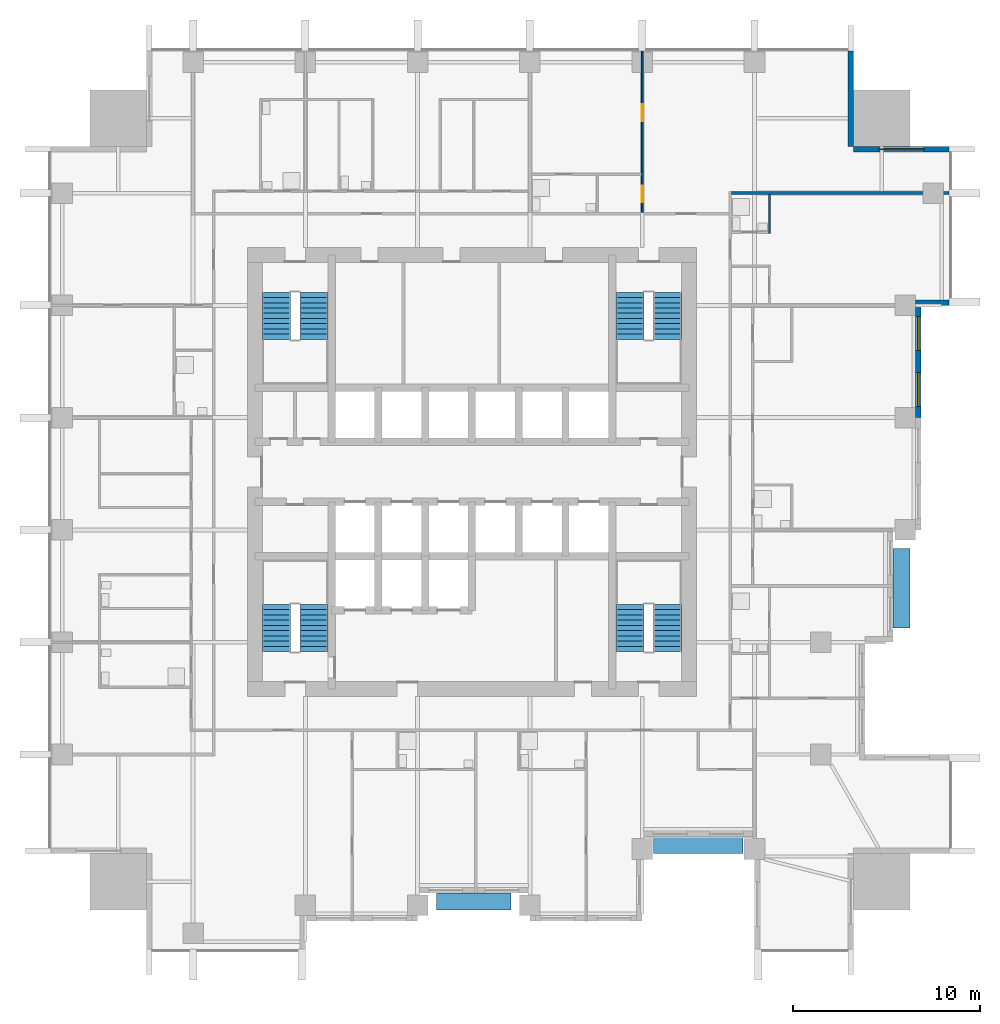
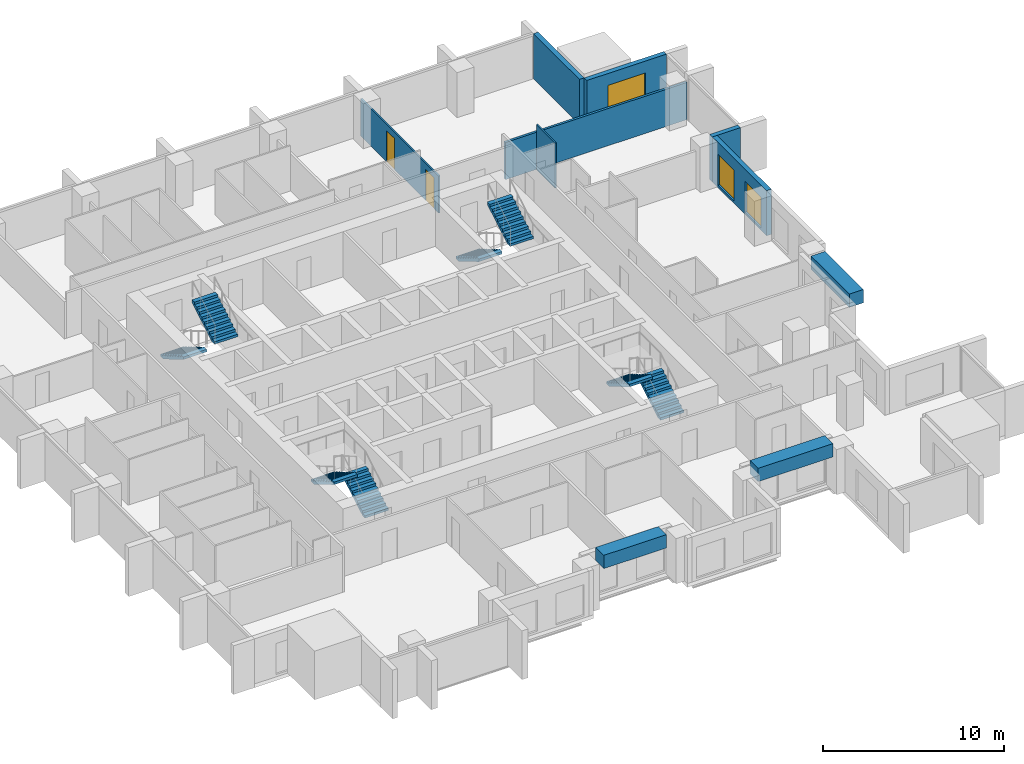
# One storey, part 8 of 10: 8 stair flights, 7 walls, 3 discrete accessories, 3 windows, 2 doors, 5 openings, 4 elements without a shape of their own.
"""IFC4 building model written with IfcOpenShell, lengths in metres."""

from ifc_helpers import new_model, si_unit, direction, frame, frame_2d, origin, origin_2d, place, context, subcontext, project, spatial, polyline, rectangle, outline, extrude, material, layer, layer_set, type_object, element, fill, aggregate, save


model = new_model("IFC4")

# Units and contexts
model_context = context("Model", 3, precision=1e-05, world=origin(), true_north=direction((0.0, 1.0)))
body_context = subcontext(model_context, "Body", "Model", "MODEL_VIEW")
ifc_project = project(units=[si_unit("LENGTHUNIT", "METRE"), si_unit("AREAUNIT", "SQUARE_METRE"), si_unit("VOLUMEUNIT", "CUBIC_METRE"), si_unit("PLANEANGLEUNIT", "RADIAN"), si_unit("MASSUNIT", "GRAM", prefix="KILO")], contexts=[model_context])

# Site, building, storey
site_placement = place(None, origin())
site = spatial("IfcSite", under=ifc_project, at=site_placement, CompositionType="ELEMENT")
building_placement = place(site_placement, origin())
building = spatial("IfcBuilding", under=site, at=building_placement, Name="Amberfall Residences", CompositionType="ELEMENT")
storey_placement = place(building_placement, frame((0.0, 0.0, 118.300048828125)))
storey = spatial("IfcBuildingStorey", under=building, at=storey_placement, Name="L32", CompositionType="ELEMENT", Elevation=118.300048828125)

# Wall
ifc_material_1 = material(Name="Pale stone cladding on insulated backing", Category="masonry")
ifc_layer_1 = layer(ifc_material_1, 0.300048828125)
ifc_layer_set_1 = layer_set([ifc_layer_1], Name="Bronze clad wall 300")
wall_type_1 = type_object("IfcWallType", Name="Bronze clad wall 300", PredefinedType="SOLIDWALL", material=ifc_layer_set_1)
wall_1_placement = place(storey_placement, frame((98.199951171875, 54.550048828125, 0.0), z_axis=(0.0, 0.0, 1.0), x_axis=(1.0, 0.0, 0.0)))
element("IfcWall", 1, at=wall_1_placement, inside=storey, type_object=wall_type_1, Name="External wall L32 E", PredefinedType="SOLIDWALL", context=body_context, shape_type="SweptSolid", body=[
    extrude(rectangle(XDim=1.800048828125, YDim=0.300048828125, at=frame_2d((0.89990234375, 0.0))), origin(), (0.0, 0.0, 1.0), 3.050048828125),
])

# Wall, opening, window
wall_2_placement = place(storey_placement, frame((100.0, 62.75, 0.0), z_axis=(0.0, 0.0, 1.0), x_axis=(-1.0, 0.0, 0.0)))
wall_2 = element("IfcWall", 2, at=wall_2_placement, inside=storey, type_object=wall_type_1, Name="External wall L32 NE", PredefinedType="SOLIDWALL", context=body_context, shape_type="SweptSolid", body=[
    extrude(rectangle(XDim=5.10009765625, YDim=0.300048828125, at=frame_2d((2.550048828125, 0.0))), origin(), (0.0, 0.0, 1.0), 3.050048828125),
])
opening_1_placement = place(wall_2_placement, frame((1.35009765625, 0.0, 0.14990234375)))
opening_1 = element("IfcOpeningElement", 3, at=opening_1_placement, cuts=wall_2, Name="Opening WN5", PredefinedType="OPENING", context=body_context, shape_type="SweptSolid", body=[
    extrude(rectangle(XDim=2.39990234375, YDim=2.10009765625, at=frame_2d((1.199951171875, 1.050048828125))), frame((0.0, 0.159912109375, 0.0), z_axis=(0.0, -1.0, 0.0), x_axis=(1.0, 0.0, 0.0)), (0.0, 0.0, 1.0), 0.320068359375),
])
ifc_material_2 = material(Name="Bronze aluminium framed glazing", Category="aluminium")
window_type_1 = type_object("IfcWindowType", Name="Glazed opening 2400 x 2100 bronze", PartitioningType="DOUBLE_PANEL_VERTICAL", PredefinedType="WINDOW", material=ifc_material_2)
window_1_placement = place(opening_1_placement, origin())
window_1 = element("IfcWindow", 4, at=window_1_placement, inside=storey, type_object=window_type_1, Name="Window L32 NE", OverallHeight=2.10009765625, OverallWidth=2.39990234375, PartitioningType="DOUBLE_PANEL_VERTICAL", PredefinedType="WINDOW", context=body_context, shape_type="SweptSolid", body=[
    extrude(rectangle(XDim=2.39990234375, YDim=2.10009765625, at=frame_2d((1.199951171875, 1.050048828125))), frame((0.0, 0.030029296875, 0.0), z_axis=(0.0, -1.0, 0.0), x_axis=(1.0, 0.0, 0.0)), (0.0, 0.0, 1.0), 0.06005859375),
])
fill(opening_1, window_1)

# Wall
wall_3_placement = place(storey_placement, frame((94.75, 62.89990234375, 0.0), z_axis=(0.0, 0.0, 1.0), x_axis=(0.0, 1.0, 0.0)))
element("IfcWall", 5, at=wall_3_placement, inside=storey, type_object=wall_type_1, Name="External wall L32 NE", PredefinedType="SOLIDWALL", context=body_context, shape_type="SweptSolid", body=[
    extrude(rectangle(XDim=5.10009765625, YDim=0.300048828125, at=frame_2d((2.550048828125, 0.0))), origin(), (0.0, 0.0, 1.0), 3.050048828125),
])

# Wall, openings, windows
wall_4_placement = place(storey_placement, frame((98.35009765625, 48.39990234375, 0.0), z_axis=(0.0, 0.0, 1.0), x_axis=(0.0, 1.0, 0.0)))
wall_4 = element("IfcWall", 6, at=wall_4_placement, inside=storey, type_object=wall_type_1, Name="Stone wall L32 E", PredefinedType="SOLIDWALL", context=body_context, shape_type="SweptSolid", body=[
    extrude(rectangle(XDim=6.0, YDim=0.300048828125, at=frame_2d((3.0, 0.0))), origin(), (0.0, 0.0, 1.0), 3.050048828125),
])
opening_2_placement = place(wall_4_placement, frame((0.60009765625, 0.0, 0.14990234375)))
opening_2 = element("IfcOpeningElement", 7, at=opening_2_placement, cuts=wall_4, Name="Opening WN6", PredefinedType="OPENING", context=body_context, shape_type="SweptSolid", body=[
    extrude(rectangle(XDim=1.800048828125, YDim=2.10009765625, at=frame_2d((0.89990234375, 1.050048828125))), frame((0.0, 0.159912109375, 0.0), z_axis=(0.0, -1.0, 0.0), x_axis=(1.0, 0.0, 0.0)), (0.0, 0.0, 1.0), 0.320068359375),
])
opening_3_placement = place(wall_4_placement, frame((3.60009765625, 0.0, 0.14990234375)))
opening_3 = element("IfcOpeningElement", 8, at=opening_3_placement, cuts=wall_4, Name="Opening WN6", PredefinedType="OPENING", context=body_context, shape_type="SweptSolid", body=[
    extrude(rectangle(XDim=1.800048828125, YDim=2.10009765625, at=frame_2d((0.89990234375, 1.050048828125))), frame((0.0, 0.159912109375, 0.0), z_axis=(0.0, -1.0, 0.0), x_axis=(1.0, 0.0, 0.0)), (0.0, 0.0, 1.0), 0.320068359375),
])
window_type_2 = type_object("IfcWindowType", Name="Glazed opening 1800 x 2100 bronze", PartitioningType="DOUBLE_PANEL_VERTICAL", PredefinedType="WINDOW", material=ifc_material_2)
window_2_placement = place(opening_2_placement, origin())
window_2 = element("IfcWindow", 9, at=window_2_placement, inside=storey, type_object=window_type_2, Name="Window L32 E", OverallHeight=2.10009765625, OverallWidth=1.800048828125, PartitioningType="DOUBLE_PANEL_VERTICAL", PredefinedType="WINDOW", context=body_context, shape_type="SweptSolid", body=[
    extrude(rectangle(XDim=1.800048828125, YDim=2.10009765625, at=frame_2d((0.89990234375, 1.050048828125))), frame((0.0, 0.030029296875, 0.0), z_axis=(0.0, -1.0, 0.0), x_axis=(1.0, 0.0, 0.0)), (0.0, 0.0, 1.0), 0.06005859375),
])
fill(opening_2, window_2)
window_3_placement = place(opening_3_placement, origin())
window_3 = element("IfcWindow", 10, at=window_3_placement, inside=storey, type_object=window_type_2, Name="Window L32 E", OverallHeight=2.10009765625, OverallWidth=1.800048828125, PartitioningType="DOUBLE_PANEL_VERTICAL", PredefinedType="WINDOW", context=body_context, shape_type="SweptSolid", body=[
    extrude(rectangle(XDim=1.800048828125, YDim=2.10009765625, at=frame_2d((0.89990234375, 1.050048828125))), frame((0.0, 0.030029296875, 0.0), z_axis=(0.0, -1.0, 0.0), x_axis=(1.0, 0.0, 0.0)), (0.0, 0.0, 1.0), 0.06005859375),
])
fill(opening_3, window_3)

# Wall, openings, doors
ifc_material_3 = material(Name="Gypsum board on metal stud")
ifc_layer_2 = layer(ifc_material_3, 0.10009765625)
ifc_layer_set_2 = layer_set([ifc_layer_2], Name="Flat partition 100")
wall_type_2 = type_object("IfcWallType", Name="Flat partition 100", PredefinedType="PARTITIONING", material=ifc_layer_set_2)
wall_5_placement = place(storey_placement, frame((83.60009765625, 59.375, 0.0), z_axis=(0.0, 0.0, 1.0), x_axis=(0.0, 1.0, 0.0)))
wall_5 = element("IfcWall", 11, at=wall_5_placement, inside=storey, type_object=wall_type_2, Name="Partition 017", PredefinedType="PARTITIONING", context=body_context, shape_type="SweptSolid", body=[
    extrude(rectangle(XDim=8.625, YDim=0.10009765625, at=frame_2d((4.3125, 0.0))), origin(), (0.0, 0.0, 1.0), 2.515869140625),
])
opening_4_placement = place(wall_5_placement, frame((0.52490234375, 0.0, 0.0)))
opening_4 = element("IfcOpeningElement", 12, at=opening_4_placement, cuts=wall_5, Name="Opening D41", PredefinedType="OPENING", context=body_context, shape_type="SweptSolid", body=[
    extrude(rectangle(XDim=0.89990234375, YDim=2.10009765625, at=frame_2d((0.449951171875, 1.050048828125))), frame((0.0, 0.06005859375, 0.0), z_axis=(0.0, -1.0, 0.0), x_axis=(1.0, 0.0, 0.0)), (0.0, 0.0, 1.0), 0.1201171875),
])
opening_5_placement = place(wall_5_placement, frame((4.875, 0.0, 0.0)))
opening_5 = element("IfcOpeningElement", 13, at=opening_5_placement, cuts=wall_5, Name="Opening D41", PredefinedType="OPENING", context=body_context, shape_type="SweptSolid", body=[
    extrude(rectangle(XDim=0.89990234375, YDim=2.10009765625, at=frame_2d((0.449951171875, 1.050048828125))), frame((0.0, 0.06005859375, 0.0), z_axis=(0.0, -1.0, 0.0), x_axis=(1.0, 0.0, 0.0)), (0.0, 0.0, 1.0), 0.1201171875),
])
ifc_material_4 = material(Name="Timber", Category="wood")
door_type = type_object("IfcDoorType", Name="Internal door 900 x 2100", OperationType="SINGLE_SWING_LEFT", PredefinedType="DOOR", material=ifc_material_4)
door_1_placement = place(opening_4_placement, origin())
door_1 = element("IfcDoor", 14, at=door_1_placement, inside=storey, type_object=door_type, Name="Door 3207 kitchen", OperationType="SINGLE_SWING_LEFT", OverallHeight=2.10009765625, OverallWidth=0.89990234375, PredefinedType="DOOR", context=body_context, shape_type="SweptSolid", body=[
    extrude(rectangle(XDim=0.89990234375, YDim=2.10009765625, at=frame_2d((0.449951171875, 1.050048828125))), frame((0.0, 0.02490234375, 0.0), z_axis=(0.0, -1.0, 0.0), x_axis=(1.0, 0.0, 0.0)), (0.0, 0.0, 1.0), 0.050048828125),
])
fill(opening_4, door_1)
door_2_placement = place(opening_5_placement, origin())
door_2 = element("IfcDoor", 15, at=door_2_placement, inside=storey, type_object=door_type, Name="Door 3207 bedroom1", OperationType="SINGLE_SWING_LEFT", OverallHeight=2.10009765625, OverallWidth=0.89990234375, PredefinedType="DOOR", context=body_context, shape_type="SweptSolid", body=[
    extrude(rectangle(XDim=0.89990234375, YDim=2.10009765625, at=frame_2d((0.449951171875, 1.050048828125))), frame((0.0, 0.02490234375, 0.0), z_axis=(0.0, -1.0, 0.0), x_axis=(1.0, 0.0, 0.0)), (0.0, 0.0, 1.0), 0.050048828125),
])
fill(opening_5, door_2)

# Walls
wall_6_placement = place(storey_placement, frame((90.39990234375, 58.25, 0.0), z_axis=(0.0, 0.0, 1.0), x_axis=(0.0, 1.0, 0.0)))
element("IfcWall", 16, at=wall_6_placement, inside=storey, type_object=wall_type_2, Name="Partition 022", PredefinedType="PARTITIONING", context=body_context, shape_type="SweptSolid", body=[
    extrude(rectangle(XDim=2.074951171875, YDim=0.10009765625, at=frame_2d((1.03759765625, 0.0))), origin(), (0.0, 0.0, 1.0), 3.050048828125),
])
ifc_material_5 = material(Name="Blockwork, plastered", Category="masonry")
ifc_layer_3 = layer(ifc_material_5, 0.14990234375)
ifc_layer_set_3 = layer_set([ifc_layer_3], Name="Flat separating wall 150")
wall_type_3 = type_object("IfcWallType", Name="Flat separating wall 150", PredefinedType="PARTITIONING", material=ifc_layer_set_3)
wall_7_placement = place(storey_placement, frame((88.375, 60.39990234375, 0.0), z_axis=(0.0, 0.0, 1.0), x_axis=(1.0, 0.0, 0.0)))
element("IfcWall", 17, at=wall_7_placement, inside=storey, type_object=wall_type_3, Name="Separating wall 054", PredefinedType="PARTITIONING", context=body_context, shape_type="SweptSolid", body=[
    extrude(rectangle(XDim=11.625, YDim=0.14990234375, at=frame_2d((5.8125, 0.0))), origin(), (0.0, 0.0, 1.0), 2.515869140625),
])

# Stair, stair flights
ifc_material_6 = material(Name="Concrete C40", Category="concrete")
stair_type = type_object("IfcStairType", Name="Exit stair 20 risers 165.0 mm", PredefinedType="HALF_TURN_STAIR", material=ifc_material_6)
stair_1_placement = place(storey_placement, origin())
stair_1 = element("IfcStair", 18, at=stair_1_placement, inside=storey, type_object=stair_type, Name="L32 Exit stair 1", PredefinedType="HALF_TURN_STAIR")
stair_flight_type = type_object("IfcStairFlightType", Name="Stair flight 10 risers 165.0 mm", PredefinedType="STRAIGHT", material=ifc_material_6)
stair_flight_1_placement = place(storey_placement, frame((66.050048828125, 35.89990234375, 0.0), z_axis=(0.0, 0.0, 1.0), x_axis=(0.0, 1.0, 0.0)))
stair_flight_1 = element("IfcStairFlight", 19, at=stair_flight_1_placement, type_object=stair_flight_type, Name="ST3 flight 1", NumberOfRisers=10, NumberOfTreads=9, PredefinedType="STRAIGHT", RiserHeight=0.165, TreadLength=0.28, context=body_context, shape_type="SweptSolid", body=[
    extrude(outline(polyline([(0.0, 0.0), (0.0, 0.1650390625), (0.280029296875, 0.1650390625), (0.280029296875, 0.330078125), (0.56005859375, 0.330078125), (0.56005859375, 0.4951171875), (0.840087890625, 0.4951171875), (0.840087890625, 0.659912109375), (1.1201171875, 0.659912109375), (1.1201171875, 0.824951171875), (1.39990234375, 0.824951171875), (1.39990234375, 0.989990234375), (1.679931640625, 0.989990234375), (1.679931640625, 1.155029296875), (1.9599609375, 1.155029296875), (1.9599609375, 1.320068359375), (2.239990234375, 1.320068359375), (2.239990234375, 1.485107421875), (2.52001953125, 1.485107421875), (2.52001953125, 1.64990234375), (2.52001953125, 1.31103515625), (0.295166015625, 0.0), (0.0, 0.0)])), frame((0.0, 0.75, 0.0), z_axis=(0.0, -1.0, 0.0), x_axis=(1.0, 0.0, 0.0)), (0.0, 0.0, 1.0), 1.5),
])
stair_flight_2_placement = place(storey_placement, frame((64.050048828125, 38.419921875, 1.64990234375), z_axis=(0.0, 0.0, 1.0), x_axis=(0.0, -1.0, 0.0)))
stair_flight_2 = element("IfcStairFlight", 20, at=stair_flight_2_placement, type_object=stair_flight_type, Name="ST3 flight 2", NumberOfRisers=10, NumberOfTreads=9, PredefinedType="STRAIGHT", RiserHeight=0.165, TreadLength=0.28, context=body_context, shape_type="SweptSolid", body=[
    extrude(outline(polyline([(0.0, 0.0), (0.0, 0.1650390625), (0.280029296875, 0.1650390625), (0.280029296875, 0.330078125), (0.56005859375, 0.330078125), (0.56005859375, 0.4951171875), (0.840087890625, 0.4951171875), (0.840087890625, 0.659912109375), (1.1201171875, 0.659912109375), (1.1201171875, 0.824951171875), (1.39990234375, 0.824951171875), (1.39990234375, 0.989990234375), (1.679931640625, 0.989990234375), (1.679931640625, 1.155029296875), (1.9599609375, 1.155029296875), (1.9599609375, 1.320068359375), (2.239990234375, 1.320068359375), (2.239990234375, 1.485107421875), (2.52001953125, 1.485107421875), (2.52001953125, 1.64990234375), (2.52001953125, 1.31103515625), (0.295166015625, 0.0), (0.0, 0.0)])), frame((0.0, 0.75, 0.0), z_axis=(0.0, -1.0, 0.0), x_axis=(1.0, 0.0, 0.0)), (0.0, 0.0, 1.0), 1.5),
])
aggregate(stair_1, [stair_flight_1, stair_flight_2])

stair_2_placement = place(storey_placement, origin())
stair_2 = element("IfcStair", 21, at=stair_2_placement, inside=storey, type_object=stair_type, Name="L32 Exit stair 2", PredefinedType="HALF_TURN_STAIR")
stair_flight_3_placement = place(storey_placement, frame((84.949951171875, 35.89990234375, 0.0), z_axis=(0.0, 0.0, 1.0), x_axis=(0.0, 1.0, 0.0)))
stair_flight_3 = element("IfcStairFlight", 22, at=stair_flight_3_placement, type_object=stair_flight_type, Name="ST3 flight 1", NumberOfRisers=10, NumberOfTreads=9, PredefinedType="STRAIGHT", RiserHeight=0.165, TreadLength=0.28, context=body_context, shape_type="SweptSolid", body=[
    extrude(outline(polyline([(0.0, 0.0), (0.0, 0.1650390625), (0.280029296875, 0.1650390625), (0.280029296875, 0.330078125), (0.56005859375, 0.330078125), (0.56005859375, 0.4951171875), (0.840087890625, 0.4951171875), (0.840087890625, 0.659912109375), (1.1201171875, 0.659912109375), (1.1201171875, 0.824951171875), (1.39990234375, 0.824951171875), (1.39990234375, 0.989990234375), (1.679931640625, 0.989990234375), (1.679931640625, 1.155029296875), (1.9599609375, 1.155029296875), (1.9599609375, 1.320068359375), (2.239990234375, 1.320068359375), (2.239990234375, 1.485107421875), (2.52001953125, 1.485107421875), (2.52001953125, 1.64990234375), (2.52001953125, 1.31103515625), (0.295166015625, 0.0), (0.0, 0.0)])), frame((0.0, 0.75, 0.0), z_axis=(0.0, -1.0, 0.0), x_axis=(1.0, 0.0, 0.0)), (0.0, 0.0, 1.0), 1.5),
])
stair_flight_4_placement = place(storey_placement, frame((82.949951171875, 38.419921875, 1.64990234375), z_axis=(0.0, 0.0, 1.0), x_axis=(0.0, -1.0, 0.0)))
stair_flight_4 = element("IfcStairFlight", 23, at=stair_flight_4_placement, type_object=stair_flight_type, Name="ST3 flight 2", NumberOfRisers=10, NumberOfTreads=9, PredefinedType="STRAIGHT", RiserHeight=0.165, TreadLength=0.28, context=body_context, shape_type="SweptSolid", body=[
    extrude(outline(polyline([(0.0, 0.0), (0.0, 0.1650390625), (0.280029296875, 0.1650390625), (0.280029296875, 0.330078125), (0.56005859375, 0.330078125), (0.56005859375, 0.4951171875), (0.840087890625, 0.4951171875), (0.840087890625, 0.659912109375), (1.1201171875, 0.659912109375), (1.1201171875, 0.824951171875), (1.39990234375, 0.824951171875), (1.39990234375, 0.989990234375), (1.679931640625, 0.989990234375), (1.679931640625, 1.155029296875), (1.9599609375, 1.155029296875), (1.9599609375, 1.320068359375), (2.239990234375, 1.320068359375), (2.239990234375, 1.485107421875), (2.52001953125, 1.485107421875), (2.52001953125, 1.64990234375), (2.52001953125, 1.31103515625), (0.295166015625, 0.0), (0.0, 0.0)])), frame((0.0, 0.75, 0.0), z_axis=(0.0, -1.0, 0.0), x_axis=(1.0, 0.0, 0.0)), (0.0, 0.0, 1.0), 1.5),
])
aggregate(stair_2, [stair_flight_3, stair_flight_4])

stair_3_placement = place(storey_placement, origin())
stair_3 = element("IfcStair", 24, at=stair_3_placement, inside=storey, type_object=stair_type, Name="L32 Exit stair 3", PredefinedType="HALF_TURN_STAIR")
stair_flight_5_placement = place(storey_placement, frame((82.949951171875, 55.10009765625, 0.0), z_axis=(0.0, 0.0, 1.0), x_axis=(0.0, -1.0, 0.0)))
stair_flight_5 = element("IfcStairFlight", 25, at=stair_flight_5_placement, type_object=stair_flight_type, Name="ST3 flight 1", NumberOfRisers=10, NumberOfTreads=9, PredefinedType="STRAIGHT", RiserHeight=0.165, TreadLength=0.28, context=body_context, shape_type="SweptSolid", body=[
    extrude(outline(polyline([(0.0, 0.0), (0.0, 0.1650390625), (0.280029296875, 0.1650390625), (0.280029296875, 0.330078125), (0.56005859375, 0.330078125), (0.56005859375, 0.4951171875), (0.840087890625, 0.4951171875), (0.840087890625, 0.659912109375), (1.1201171875, 0.659912109375), (1.1201171875, 0.824951171875), (1.39990234375, 0.824951171875), (1.39990234375, 0.989990234375), (1.679931640625, 0.989990234375), (1.679931640625, 1.155029296875), (1.9599609375, 1.155029296875), (1.9599609375, 1.320068359375), (2.239990234375, 1.320068359375), (2.239990234375, 1.485107421875), (2.52001953125, 1.485107421875), (2.52001953125, 1.64990234375), (2.52001953125, 1.31103515625), (0.295166015625, 0.0), (0.0, 0.0)])), frame((0.0, 0.75, 0.0), z_axis=(0.0, -1.0, 0.0), x_axis=(1.0, 0.0, 0.0)), (0.0, 0.0, 1.0), 1.5),
])
stair_flight_6_placement = place(storey_placement, frame((84.949951171875, 52.580078125, 1.64990234375), z_axis=(0.0, 0.0, 1.0), x_axis=(0.0, 1.0, 0.0)))
stair_flight_6 = element("IfcStairFlight", 26, at=stair_flight_6_placement, type_object=stair_flight_type, Name="ST3 flight 2", NumberOfRisers=10, NumberOfTreads=9, PredefinedType="STRAIGHT", RiserHeight=0.165, TreadLength=0.28, context=body_context, shape_type="SweptSolid", body=[
    extrude(outline(polyline([(0.0, 0.0), (0.0, 0.1650390625), (0.280029296875, 0.1650390625), (0.280029296875, 0.330078125), (0.56005859375, 0.330078125), (0.56005859375, 0.4951171875), (0.840087890625, 0.4951171875), (0.840087890625, 0.659912109375), (1.1201171875, 0.659912109375), (1.1201171875, 0.824951171875), (1.39990234375, 0.824951171875), (1.39990234375, 0.989990234375), (1.679931640625, 0.989990234375), (1.679931640625, 1.155029296875), (1.9599609375, 1.155029296875), (1.9599609375, 1.320068359375), (2.239990234375, 1.320068359375), (2.239990234375, 1.485107421875), (2.52001953125, 1.485107421875), (2.52001953125, 1.64990234375), (2.52001953125, 1.31103515625), (0.295166015625, 0.0), (0.0, 0.0)])), frame((0.0, 0.75, 0.0), z_axis=(0.0, -1.0, 0.0), x_axis=(1.0, 0.0, 0.0)), (0.0, 0.0, 1.0), 1.5),
])
aggregate(stair_3, [stair_flight_5, stair_flight_6])

stair_4_placement = place(storey_placement, origin())
stair_4 = element("IfcStair", 27, at=stair_4_placement, inside=storey, type_object=stair_type, Name="L32 Exit stair 4", PredefinedType="HALF_TURN_STAIR")
stair_flight_7_placement = place(storey_placement, frame((64.050048828125, 55.10009765625, 0.0), z_axis=(0.0, 0.0, 1.0), x_axis=(0.0, -1.0, 0.0)))
stair_flight_7 = element("IfcStairFlight", 28, at=stair_flight_7_placement, type_object=stair_flight_type, Name="ST3 flight 1", NumberOfRisers=10, NumberOfTreads=9, PredefinedType="STRAIGHT", RiserHeight=0.165, TreadLength=0.28, context=body_context, shape_type="SweptSolid", body=[
    extrude(outline(polyline([(0.0, 0.0), (0.0, 0.1650390625), (0.280029296875, 0.1650390625), (0.280029296875, 0.330078125), (0.56005859375, 0.330078125), (0.56005859375, 0.4951171875), (0.840087890625, 0.4951171875), (0.840087890625, 0.659912109375), (1.1201171875, 0.659912109375), (1.1201171875, 0.824951171875), (1.39990234375, 0.824951171875), (1.39990234375, 0.989990234375), (1.679931640625, 0.989990234375), (1.679931640625, 1.155029296875), (1.9599609375, 1.155029296875), (1.9599609375, 1.320068359375), (2.239990234375, 1.320068359375), (2.239990234375, 1.485107421875), (2.52001953125, 1.485107421875), (2.52001953125, 1.64990234375), (2.52001953125, 1.31103515625), (0.295166015625, 0.0), (0.0, 0.0)])), frame((0.0, 0.75, 0.0), z_axis=(0.0, -1.0, 0.0), x_axis=(1.0, 0.0, 0.0)), (0.0, 0.0, 1.0), 1.5),
])
stair_flight_8_placement = place(storey_placement, frame((66.050048828125, 52.580078125, 1.64990234375), z_axis=(0.0, 0.0, 1.0), x_axis=(0.0, 1.0, 0.0)))
stair_flight_8 = element("IfcStairFlight", 29, at=stair_flight_8_placement, type_object=stair_flight_type, Name="ST3 flight 2", NumberOfRisers=10, NumberOfTreads=9, PredefinedType="STRAIGHT", RiserHeight=0.165, TreadLength=0.28, context=body_context, shape_type="SweptSolid", body=[
    extrude(outline(polyline([(0.0, 0.0), (0.0, 0.1650390625), (0.280029296875, 0.1650390625), (0.280029296875, 0.330078125), (0.56005859375, 0.330078125), (0.56005859375, 0.4951171875), (0.840087890625, 0.4951171875), (0.840087890625, 0.659912109375), (1.1201171875, 0.659912109375), (1.1201171875, 0.824951171875), (1.39990234375, 0.824951171875), (1.39990234375, 0.989990234375), (1.679931640625, 0.989990234375), (1.679931640625, 1.155029296875), (1.9599609375, 1.155029296875), (1.9599609375, 1.320068359375), (2.239990234375, 1.320068359375), (2.239990234375, 1.485107421875), (2.52001953125, 1.485107421875), (2.52001953125, 1.64990234375), (2.52001953125, 1.31103515625), (0.295166015625, 0.0), (0.0, 0.0)])), frame((0.0, 0.75, 0.0), z_axis=(0.0, -1.0, 0.0), x_axis=(1.0, 0.0, 0.0)), (0.0, 0.0, 1.0), 1.5),
])
aggregate(stair_4, [stair_flight_7, stair_flight_8])

# Discrete accessories
discrete_accessory_1_placement = place(storey_placement, frame((74.60009765625, 22.550048828125, 2.39990234375), z_axis=(0.0, 0.0, 1.0), x_axis=(1.0, 0.0, 0.0)))
element("IfcDiscreteAccessory", 30, at=discrete_accessory_1_placement, inside=storey, Name="Planter box L33 S5", ObjectType="PLANTER BOX", PredefinedType="USERDEFINED", context=body_context, shape_type="SweptSolid", body=[
    extrude(rectangle(XDim=3.997314453125, YDim=0.89990234375, at=origin_2d()), origin(), (0.0, 0.0, 1.0), 0.89990234375),
])
discrete_accessory_2_placement = place(storey_placement, frame((86.60009765625, 25.550048828125, 2.39990234375), z_axis=(0.0, 0.0, 1.0), x_axis=(1.0, 0.0, 0.0)))
element("IfcDiscreteAccessory", 31, at=discrete_accessory_2_placement, inside=storey, Name="Planter box L33 S9", ObjectType="PLANTER BOX", PredefinedType="USERDEFINED", context=body_context, shape_type="SweptSolid", body=[
    extrude(rectangle(XDim=4.780029296875, YDim=0.89990234375, at=origin_2d()), origin(), (0.0, 0.0, 1.0), 0.89990234375),
])
discrete_accessory_3_placement = place(storey_placement, frame((97.449951171875, 39.2744140625, 2.39990234375), z_axis=(0.0, 0.0, 1.0), x_axis=(0.0, 1.0, 0.0)))
element("IfcDiscreteAccessory", 32, at=discrete_accessory_3_placement, inside=storey, Name="Planter box L33 E5", ObjectType="PLANTER BOX", PredefinedType="USERDEFINED", context=body_context, shape_type="SweptSolid", body=[
    extrude(rectangle(XDim=4.2490234375, YDim=0.89990234375, at=origin_2d()), origin(), (0.0, 0.0, 1.0), 0.89990234375),
])

save(model, "model.ifc")
